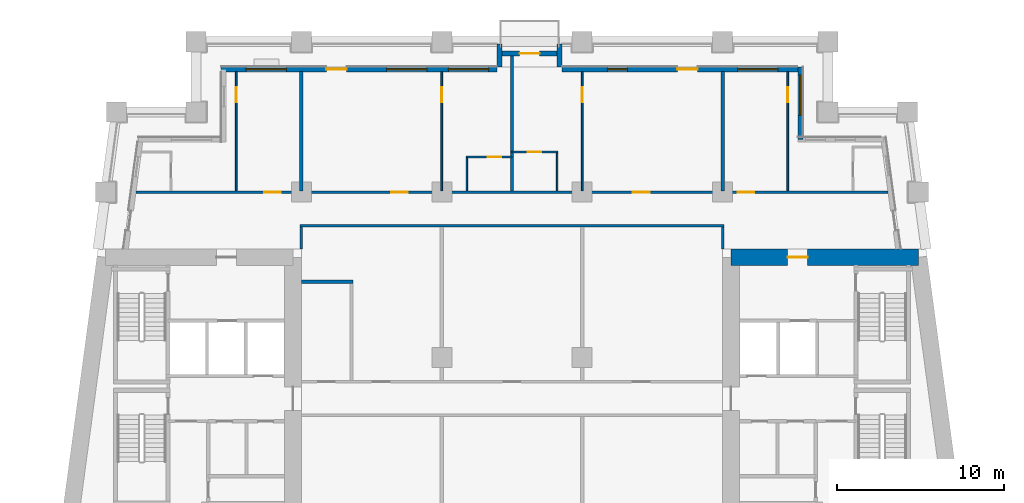
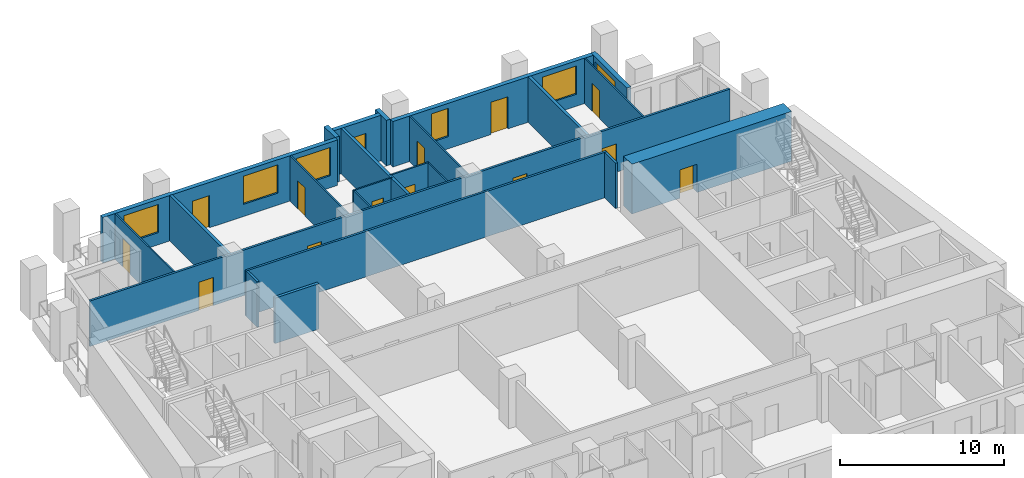
# One storey, part 7 of 13: 23 walls, 14 doors, 6 windows, 20 openings.
"""IFC4 building model written with IfcOpenShell, lengths in metres."""

from ifc_helpers import new_model, si_unit, direction, frame, frame_2d, origin, place, context, subcontext, project, spatial, rectangle, extrude, material, layer, layer_set, type_object, element, fill, save


model = new_model("IFC4")

# Units and contexts
model_context = context("Model", 3, precision=1e-05, world=origin(), true_north=direction((0.0, 1.0)))
body_context = subcontext(model_context, "Body", "Model", "MODEL_VIEW")
ifc_project = project(units=[si_unit("LENGTHUNIT", "METRE"), si_unit("AREAUNIT", "SQUARE_METRE"), si_unit("VOLUMEUNIT", "CUBIC_METRE"), si_unit("PLANEANGLEUNIT", "RADIAN"), si_unit("MASSUNIT", "GRAM", prefix="KILO")], contexts=[model_context])

# Site, building, storey
site_placement = place(None, origin())
site = spatial("IfcSite", under=ifc_project, at=site_placement, CompositionType="ELEMENT")
building_placement = place(site_placement, origin())
building = spatial("IfcBuilding", under=site, at=building_placement, Name="Candeia Pilgrim Tower and Theatre", CompositionType="ELEMENT")
storey_placement = place(building_placement, frame((0.0, 0.0, 94.699951171875)))
storey = spatial("IfcBuildingStorey", under=building, at=storey_placement, Name="L21", CompositionType="ELEMENT", Elevation=94.699951171875)

# Wall, opening, door
ifc_material_1 = material(Name="Concrete C70/85", Category="concrete")
ifc_layer_1 = layer(ifc_material_1, 1.0)
ifc_layer_set_1 = layer_set([ifc_layer_1], Name="Core wall 1000 C70/85")
wall_type_1 = type_object("IfcWallType", Name="Core wall 1000 C70/85", PredefinedType="SHEAR", material=ifc_layer_set_1)
wall_1_placement = place(storey_placement, frame((126.5, 131.89990234375, 0.0), z_axis=(0.0, 0.0, 1.0), x_axis=(1.0, 0.0, 0.0)))
wall_1 = element("IfcWall", 1, at=wall_1_placement, inside=storey, type_object=wall_type_1, Name="Core wall E1", PredefinedType="SHEAR", context=body_context, shape_type="SweptSolid", body=[
    extrude(rectangle(XDim=11.23193359375, YDim=1.0, at=frame_2d((5.615966796875, 0.0))), origin(), (0.0, 0.0, 1.0), 3.699951171875),
])
opening_1_placement = place(wall_1_placement, frame((3.386474609375, 0.0, 0.0)))
opening_1 = element("IfcOpeningElement", 2, at=opening_1_placement, cuts=wall_1, Name="Opening L21-D061", PredefinedType="OPENING", context=body_context, shape_type="SweptSolid", body=[
    extrude(rectangle(XDim=1.199951171875, YDim=2.10009765625, at=frame_2d((0.60009765625, 1.050048828125))), frame((0.0, 0.510009765625, 0.0), z_axis=(0.0, -1.0, 0.0), x_axis=(1.0, 0.0, 0.0)), (0.0, 0.0, 1.0), 1.02001953125),
])
ifc_material_2 = material(Name="Steel fire door set", Category="steel")
door_type_1 = type_object("IfcDoorType", Name="D-1200-FD60", OperationType="NOTDEFINED", PredefinedType="DOOR", material=ifc_material_2)
door_1_placement = place(opening_1_placement, origin())
door_1 = element("IfcDoor", 3, at=door_1_placement, inside=storey, type_object=door_type_1, Name="Door L21-D061", OperationType="SINGLE_SWING_RIGHT", OverallHeight=2.10009765625, OverallWidth=1.199951171875, PredefinedType="DOOR", context=body_context, shape_type="SweptSolid", body=[
    extrude(rectangle(XDim=1.199951171875, YDim=2.10009765625, at=frame_2d((0.60009765625, 1.050048828125))), frame((0.0, 0.02490234375, 0.0), z_axis=(0.0, -1.0, 0.0), x_axis=(1.0, 0.0, 0.0)), (0.0, 0.0, 1.0), 0.050048828125),
])
fill(opening_1, door_1)

# Wall, opening, window
ifc_material_3 = material(Name="Ceramic block masonry", Category="masonry")
ifc_layer_2 = layer(ifc_material_3, 0.300048828125)
ifc_layer_set_2 = layer_set([ifc_layer_2], Name="EW1 glazing-line wall 300")
wall_type_2 = type_object("IfcWallType", Name="EW1 glazing-line wall 300", PredefinedType="SOLIDWALL", material=ifc_layer_set_2)
wall_2_placement = place(storey_placement, frame((130.64990234375, 138.949951171875, 0.0), z_axis=(0.0, 0.0, 1.0), x_axis=(0.0, 1.0, 0.0)))
wall_2 = element("IfcWall", 4, at=wall_2_placement, inside=storey, type_object=wall_type_2, Name="External wall L21-5.0", PredefinedType="SOLIDWALL", context=body_context, shape_type="SweptSolid", body=[
    extrude(rectangle(XDim=4.35009765625, YDim=0.300048828125, at=frame_2d((2.175048828125, 0.0))), origin(), (0.0, 0.0, 1.0), 3.380126953125),
])
opening_2_placement = place(wall_2_placement, frame((1.449951171875, 0.0, 0.89990234375)))
opening_2 = element("IfcOpeningElement", 5, at=opening_2_placement, cuts=wall_2, Name="Opening W-A", PredefinedType="OPENING", context=body_context, shape_type="SweptSolid", body=[
    extrude(rectangle(XDim=2.39990234375, YDim=2.10009765625, at=frame_2d((1.199951171875, 1.050048828125))), frame((0.0, 0.16015625, 0.0), z_axis=(0.0, -1.0, 0.0), x_axis=(1.0, 0.0, 0.0)), (0.0, 0.0, 1.0), 0.320068359375),
])
ifc_material_4 = material(Name="Aluminium framed double glazing", Category="aluminium")
window_type_1 = type_object("IfcWindowType", Name="W-A window 2400x2100", PartitioningType="DOUBLE_PANEL_VERTICAL", PredefinedType="WINDOW", material=ifc_material_4)
window_1_placement = place(opening_2_placement, origin())
window_1 = element("IfcWindow", 6, at=window_1_placement, inside=storey, type_object=window_type_1, Name="Window W-A L21", OverallHeight=2.10009765625, OverallWidth=2.39990234375, PartitioningType="SINGLE_PANEL", PredefinedType="WINDOW", context=body_context, shape_type="SweptSolid", body=[
    extrude(rectangle(XDim=2.39990234375, YDim=2.10009765625, at=frame_2d((1.199951171875, 1.050048828125))), frame((0.0, 0.030029296875, 0.0), z_axis=(0.0, -1.0, 0.0), x_axis=(1.0, 0.0, 0.0)), (0.0, 0.0, 1.0), 0.06005859375),
])
fill(opening_2, window_1)

# Wall, openings, door, windows
wall_3_placement = place(storey_placement, frame((130.64990234375, 143.14990234375, 0.0), z_axis=(0.0, 0.0, 1.0), x_axis=(-1.0, 0.0, 0.0)))
wall_3 = element("IfcWall", 7, at=wall_3_placement, inside=storey, type_object=wall_type_2, Name="External wall L21-6.0", PredefinedType="SOLIDWALL", context=body_context, shape_type="SweptSolid", body=[
    extrude(rectangle(XDim=14.25, YDim=0.300048828125, at=frame_2d((7.125, 0.0))), origin(), (0.0, 0.0, 1.0), 3.380126953125),
])
opening_3_placement = place(wall_3_placement, frame((1.35009765625, 0.0, 0.89990234375)))
opening_3 = element("IfcOpeningElement", 8, at=opening_3_placement, cuts=wall_3, Name="Opening W-A", PredefinedType="OPENING", context=body_context, shape_type="SweptSolid", body=[
    extrude(rectangle(XDim=2.39990234375, YDim=2.10009765625, at=frame_2d((1.199951171875, 1.050048828125))), frame((0.0, 0.16015625, 0.0), z_axis=(0.0, -1.0, 0.0), x_axis=(1.0, 0.0, 0.0)), (0.0, 0.0, 1.0), 0.320068359375),
])
opening_4_placement = place(wall_3_placement, frame((6.14990234375, 0.0, 0.0)))
opening_4 = element("IfcOpeningElement", 9, at=opening_4_placement, cuts=wall_3, Name="Opening L21-ED219", PredefinedType="OPENING", context=body_context, shape_type="SweptSolid", body=[
    extrude(rectangle(XDim=1.199951171875, YDim=2.39990234375, at=frame_2d((0.60009765625, 1.199951171875))), frame((0.0, 0.16015625, 0.0), z_axis=(0.0, -1.0, 0.0), x_axis=(1.0, 0.0, 0.0)), (0.0, 0.0, 1.0), 0.320068359375),
])
opening_5_placement = place(wall_3_placement, frame((10.35009765625, 0.0, 0.89990234375)))
opening_5 = element("IfcOpeningElement", 10, at=opening_5_placement, cuts=wall_3, Name="Opening W-B", PredefinedType="OPENING", context=body_context, shape_type="SweptSolid", body=[
    extrude(rectangle(XDim=1.199951171875, YDim=2.10009765625, at=frame_2d((0.60009765625, 1.050048828125))), frame((0.0, 0.16015625, 0.0), z_axis=(0.0, -1.0, 0.0), x_axis=(1.0, 0.0, 0.0)), (0.0, 0.0, 1.0), 0.320068359375),
])
ifc_material_5 = material(Name="Aluminium framed glazed door", Category="aluminium")
door_type_2 = type_object("IfcDoorType", Name="Loggia door 1200x2400", OperationType="DOUBLE_DOOR_SINGLE_SWING", PredefinedType="DOOR", material=ifc_material_5)
door_2_placement = place(opening_4_placement, origin())
door_2 = element("IfcDoor", 11, at=door_2_placement, inside=storey, type_object=door_type_2, Name="Loggia door L21-ED219", OperationType="DOUBLE_DOOR_SINGLE_SWING", OverallHeight=2.39990234375, OverallWidth=1.199951171875, PredefinedType="DOOR", context=body_context, shape_type="SweptSolid", body=[
    extrude(rectangle(XDim=1.199951171875, YDim=2.39990234375, at=frame_2d((0.60009765625, 1.199951171875))), frame((0.0, 0.02490234375, 0.0), z_axis=(0.0, -1.0, 0.0), x_axis=(1.0, 0.0, 0.0)), (0.0, 0.0, 1.0), 0.050048828125),
])
fill(opening_4, door_2)
window_2_placement = place(opening_3_placement, origin())
window_2 = element("IfcWindow", 12, at=window_2_placement, inside=storey, type_object=window_type_1, Name="Window W-A L21", OverallHeight=2.10009765625, OverallWidth=2.39990234375, PartitioningType="SINGLE_PANEL", PredefinedType="WINDOW", context=body_context, shape_type="SweptSolid", body=[
    extrude(rectangle(XDim=2.39990234375, YDim=2.10009765625, at=frame_2d((1.199951171875, 1.050048828125))), frame((0.0, 0.030029296875, 0.0), z_axis=(0.0, -1.0, 0.0), x_axis=(1.0, 0.0, 0.0)), (0.0, 0.0, 1.0), 0.06005859375),
])
fill(opening_3, window_2)
window_type_2 = type_object("IfcWindowType", Name="W-B window 1200x2100", PartitioningType="SINGLE_PANEL", PredefinedType="WINDOW", material=ifc_material_4)
window_3_placement = place(opening_5_placement, origin())
window_3 = element("IfcWindow", 13, at=window_3_placement, inside=storey, type_object=window_type_2, Name="Window W-B L21", OverallHeight=2.10009765625, OverallWidth=1.199951171875, PartitioningType="SINGLE_PANEL", PredefinedType="WINDOW", context=body_context, shape_type="SweptSolid", body=[
    extrude(rectangle(XDim=1.199951171875, YDim=2.10009765625, at=frame_2d((0.60009765625, 1.050048828125))), frame((0.0, 0.030029296875, 0.0), z_axis=(0.0, -1.0, 0.0), x_axis=(1.0, 0.0, 0.0)), (0.0, 0.0, 1.0), 0.06005859375),
])
fill(opening_5, window_3)

wall_4_placement = place(storey_placement, frame((112.5, 143.14990234375, 0.0), z_axis=(0.0, 0.0, 1.0), x_axis=(-1.0, 0.0, 0.0)))
wall_4 = element("IfcWall", 14, at=wall_4_placement, inside=storey, type_object=wall_type_2, Name="External wall L21-6.1", PredefinedType="SOLIDWALL", context=body_context, shape_type="SweptSolid", body=[
    extrude(rectangle(XDim=16.5, YDim=0.300048828125, at=frame_2d((8.25, 0.0))), origin(), (0.0, 0.0, 1.0), 3.380126953125),
])
opening_6_placement = place(wall_4_placement, frame((0.5, 0.0, 0.89990234375)))
opening_6 = element("IfcOpeningElement", 15, at=opening_6_placement, cuts=wall_4, Name="Opening W-A", PredefinedType="OPENING", context=body_context, shape_type="SweptSolid", body=[
    extrude(rectangle(XDim=2.39990234375, YDim=2.10009765625, at=frame_2d((1.199951171875, 1.050048828125))), frame((0.0, 0.16015625, 0.0), z_axis=(0.0, -1.0, 0.0), x_axis=(1.0, 0.0, 0.0)), (0.0, 0.0, 1.0), 0.320068359375),
])
opening_7_placement = place(wall_4_placement, frame((4.199951171875, 0.0, 0.89990234375)))
opening_7 = element("IfcOpeningElement", 16, at=opening_7_placement, cuts=wall_4, Name="Opening W-A", PredefinedType="OPENING", context=body_context, shape_type="SweptSolid", body=[
    extrude(rectangle(XDim=2.39990234375, YDim=2.10009765625, at=frame_2d((1.199951171875, 1.050048828125))), frame((0.0, 0.16015625, 0.0), z_axis=(0.0, -1.0, 0.0), x_axis=(1.0, 0.0, 0.0)), (0.0, 0.0, 1.0), 0.320068359375),
])
opening_8_placement = place(wall_4_placement, frame((9.0, 0.0, 0.0)))
opening_8 = element("IfcOpeningElement", 17, at=opening_8_placement, cuts=wall_4, Name="Opening L21-ED220", PredefinedType="OPENING", context=body_context, shape_type="SweptSolid", body=[
    extrude(rectangle(XDim=1.199951171875, YDim=2.39990234375, at=frame_2d((0.60009765625, 1.199951171875))), frame((0.0, 0.16015625, 0.0), z_axis=(0.0, -1.0, 0.0), x_axis=(1.0, 0.0, 0.0)), (0.0, 0.0, 1.0), 0.320068359375),
])
opening_9_placement = place(wall_4_placement, frame((12.60009765625, 0.0, 0.89990234375)))
opening_9 = element("IfcOpeningElement", 18, at=opening_9_placement, cuts=wall_4, Name="Opening W-A", PredefinedType="OPENING", context=body_context, shape_type="SweptSolid", body=[
    extrude(rectangle(XDim=2.39990234375, YDim=2.10009765625, at=frame_2d((1.199951171875, 1.050048828125))), frame((0.0, 0.16015625, 0.0), z_axis=(0.0, -1.0, 0.0), x_axis=(1.0, 0.0, 0.0)), (0.0, 0.0, 1.0), 0.320068359375),
])
door_3_placement = place(opening_8_placement, origin())
door_3 = element("IfcDoor", 19, at=door_3_placement, inside=storey, type_object=door_type_2, Name="Loggia door L21-ED220", OperationType="DOUBLE_DOOR_SINGLE_SWING", OverallHeight=2.39990234375, OverallWidth=1.199951171875, PredefinedType="DOOR", context=body_context, shape_type="SweptSolid", body=[
    extrude(rectangle(XDim=1.199951171875, YDim=2.39990234375, at=frame_2d((0.60009765625, 1.199951171875))), frame((0.0, 0.02490234375, 0.0), z_axis=(0.0, -1.0, 0.0), x_axis=(1.0, 0.0, 0.0)), (0.0, 0.0, 1.0), 0.050048828125),
])
fill(opening_8, door_3)
window_4_placement = place(opening_6_placement, origin())
window_4 = element("IfcWindow", 20, at=window_4_placement, inside=storey, type_object=window_type_1, Name="Window W-A L21", OverallHeight=2.10009765625, OverallWidth=2.39990234375, PartitioningType="SINGLE_PANEL", PredefinedType="WINDOW", context=body_context, shape_type="SweptSolid", body=[
    extrude(rectangle(XDim=2.39990234375, YDim=2.10009765625, at=frame_2d((1.199951171875, 1.050048828125))), frame((0.0, 0.030029296875, 0.0), z_axis=(0.0, -1.0, 0.0), x_axis=(1.0, 0.0, 0.0)), (0.0, 0.0, 1.0), 0.06005859375),
])
fill(opening_6, window_4)
window_5_placement = place(opening_7_placement, origin())
window_5 = element("IfcWindow", 21, at=window_5_placement, inside=storey, type_object=window_type_1, Name="Window W-A L21", OverallHeight=2.10009765625, OverallWidth=2.39990234375, PartitioningType="SINGLE_PANEL", PredefinedType="WINDOW", context=body_context, shape_type="SweptSolid", body=[
    extrude(rectangle(XDim=2.39990234375, YDim=2.10009765625, at=frame_2d((1.199951171875, 1.050048828125))), frame((0.0, 0.030029296875, 0.0), z_axis=(0.0, -1.0, 0.0), x_axis=(1.0, 0.0, 0.0)), (0.0, 0.0, 1.0), 0.06005859375),
])
fill(opening_7, window_5)
window_6_placement = place(opening_9_placement, origin())
window_6 = element("IfcWindow", 22, at=window_6_placement, inside=storey, type_object=window_type_1, Name="Window W-A L21", OverallHeight=2.10009765625, OverallWidth=2.39990234375, PartitioningType="SINGLE_PANEL", PredefinedType="WINDOW", context=body_context, shape_type="SweptSolid", body=[
    extrude(rectangle(XDim=2.39990234375, YDim=2.10009765625, at=frame_2d((1.199951171875, 1.050048828125))), frame((0.0, 0.030029296875, 0.0), z_axis=(0.0, -1.0, 0.0), x_axis=(1.0, 0.0, 0.0)), (0.0, 0.0, 1.0), 0.06005859375),
])
fill(opening_9, window_6)

# Walls
ifc_layer_3 = layer(ifc_material_3, 0.300048828125)
ifc_layer_set_3 = layer_set([ifc_layer_3], Name="EW2 entrance infill wall 300")
wall_type_3 = type_object("IfcWallType", Name="EW2 entrance infill wall 300", PredefinedType="SOLIDWALL", material=ifc_layer_set_3)
for number, where, z_axis, x_axis, name in (
    (23, (116.25, 143.300048828125, 0.0), (0.0, 0.0, 1.0), (0.0, 1.0, 0.0), "Alcove wall L21"),
    (24, (112.64990234375, 143.300048828125, 0.0), (0.0, 0.0, 1.0), (0.0, 1.0, 0.0), "Alcove wall L21"),
):
    element("IfcWall", number, at=place(storey_placement, frame(where, z_axis=z_axis, x_axis=x_axis)), inside=storey, type_object=wall_type_3, Name=name, PredefinedType="SOLIDWALL", context=body_context, shape_type="SweptSolid", body=[
        extrude(rectangle(XDim=1.349853515625, YDim=0.300048828125, at=frame_2d((0.6748046875, 0.0))), origin(), (0.0, 0.0, 1.0), 3.380126953125),
    ])

# Wall, opening, door
wall_5_placement = place(storey_placement, frame((116.39990234375, 144.10009765625, 0.0), z_axis=(0.0, 0.0, 1.0), x_axis=(-1.0, 0.0, 0.0)))
wall_5 = element("IfcWall", 25, at=wall_5_placement, inside=storey, type_object=wall_type_3, Name="Alcove wall L21", PredefinedType="SOLIDWALL", context=body_context, shape_type="SweptSolid", body=[
    extrude(rectangle(XDim=3.89990234375, YDim=0.300048828125, at=frame_2d((1.949951171875, 0.0))), origin(), (0.0, 0.0, 1.0), 3.380126953125),
])
opening_10_placement = place(wall_5_placement, frame((1.35009765625, 0.0, 0.0)))
opening_10 = element("IfcOpeningElement", 26, at=opening_10_placement, cuts=wall_5, Name="Opening L21-ED221", PredefinedType="OPENING", context=body_context, shape_type="SweptSolid", body=[
    extrude(rectangle(XDim=1.199951171875, YDim=2.39990234375, at=frame_2d((0.60009765625, 1.199951171875))), frame((0.0, 0.16015625, 0.0), z_axis=(0.0, -1.0, 0.0), x_axis=(1.0, 0.0, 0.0)), (0.0, 0.0, 1.0), 0.320068359375),
])
door_4_placement = place(opening_10_placement, origin())
door_4 = element("IfcDoor", 27, at=door_4_placement, inside=storey, type_object=door_type_2, Name="Balcony door L21-ED221", OperationType="DOUBLE_DOOR_SINGLE_SWING", OverallHeight=2.39990234375, OverallWidth=1.199951171875, PredefinedType="DOOR", context=body_context, shape_type="SweptSolid", body=[
    extrude(rectangle(XDim=1.199951171875, YDim=2.39990234375, at=frame_2d((0.60009765625, 1.199951171875))), frame((0.0, 0.02490234375, 0.0), z_axis=(0.0, -1.0, 0.0), x_axis=(1.0, 0.0, 0.0)), (0.0, 0.0, 1.0), 0.050048828125),
])
fill(opening_10, door_4)

ifc_material_6 = material(Name="Gypsum board partition on steel studs", Category="steel")
ifc_layer_4 = layer(ifc_material_6, 0.10009765625)
ifc_layer_set_4 = layer_set([ifc_layer_4], Name="PW-100 room partition")
wall_type_4 = type_object("IfcWallType", Name="PW-100 room partition", PredefinedType="PARTITIONING", material=ifc_layer_set_4)
wall_6_placement = place(storey_placement, frame((110.64990234375, 137.89990234375, 0.0), z_axis=(0.0, 0.0, 1.0), x_axis=(1.0, 0.0, 0.0)))
wall_6 = element("IfcWall", 28, at=wall_6_placement, inside=storey, type_object=wall_type_4, Name="Room partition L21-045", PredefinedType="PARTITIONING", context=body_context, shape_type="SweptSolid", body=[
    extrude(rectangle(XDim=2.75, YDim=0.10009765625, at=frame_2d((1.375, 0.0))), origin(), (0.0, 0.0, 1.0), 3.380126953125),
])
opening_11_placement = place(wall_6_placement, frame((1.300048828125, 0.0, 0.0)))
opening_11 = element("IfcOpeningElement", 29, at=opening_11_placement, cuts=wall_6, Name="Opening L21-D043", PredefinedType="OPENING", context=body_context, shape_type="SweptSolid", body=[
    extrude(rectangle(XDim=0.800048828125, YDim=2.10009765625, at=frame_2d((0.39990234375, 1.050048828125))), frame((0.0, 0.06005859375, 0.0), z_axis=(0.0, -1.0, 0.0), x_axis=(1.0, 0.0, 0.0)), (0.0, 0.0, 1.0), 0.1201171875),
])
ifc_material_7 = material(Name="Timber door leaf", Category="wood")
door_type_3 = type_object("IfcDoorType", Name="D-800", OperationType="NOTDEFINED", PredefinedType="DOOR", material=ifc_material_7)
door_5_placement = place(opening_11_placement, origin())
door_5 = element("IfcDoor", 30, at=door_5_placement, inside=storey, type_object=door_type_3, Name="Door L21-D043", OperationType="SINGLE_SWING_RIGHT", OverallHeight=2.10009765625, OverallWidth=0.800048828125, PredefinedType="DOOR", context=body_context, shape_type="SweptSolid", body=[
    extrude(rectangle(XDim=0.800048828125, YDim=2.10009765625, at=frame_2d((0.39990234375, 1.050048828125))), frame((0.0, 0.02490234375, 0.0), z_axis=(0.0, -1.0, 0.0), x_axis=(1.0, 0.0, 0.0)), (0.0, 0.0, 1.0), 0.050048828125),
])
fill(opening_11, door_5)

wall_7_placement = place(storey_placement, frame((113.39990234375, 138.199951171875, 0.0), z_axis=(0.0, 0.0, 1.0), x_axis=(1.0, 0.0, 0.0)))
wall_7 = element("IfcWall", 31, at=wall_7_placement, inside=storey, type_object=wall_type_4, Name="Room partition L21-047", PredefinedType="PARTITIONING", context=body_context, shape_type="SweptSolid", body=[
    extrude(rectangle(XDim=2.75, YDim=0.10009765625, at=frame_2d((1.375, 0.0))), origin(), (0.0, 0.0, 1.0), 3.380126953125),
])
opening_12_placement = place(wall_7_placement, frame((0.949951171875, 0.0, 0.0)))
opening_12 = element("IfcOpeningElement", 32, at=opening_12_placement, cuts=wall_7, Name="Opening L21-D046", PredefinedType="OPENING", context=body_context, shape_type="SweptSolid", body=[
    extrude(rectangle(XDim=0.800048828125, YDim=2.10009765625, at=frame_2d((0.39990234375, 1.050048828125))), frame((0.0, 0.06005859375, 0.0), z_axis=(0.0, -1.0, 0.0), x_axis=(1.0, 0.0, 0.0)), (0.0, 0.0, 1.0), 0.1201171875),
])
door_6_placement = place(opening_12_placement, origin())
door_6 = element("IfcDoor", 33, at=door_6_placement, inside=storey, type_object=door_type_3, Name="Door L21-D046", OperationType="SINGLE_SWING_LEFT", OverallHeight=2.10009765625, OverallWidth=0.800048828125, PredefinedType="DOOR", context=body_context, shape_type="SweptSolid", body=[
    extrude(rectangle(XDim=0.800048828125, YDim=2.10009765625, at=frame_2d((0.39990234375, 1.050048828125))), frame((0.0, 0.02490234375, 0.0), z_axis=(0.0, -1.0, 0.0), x_axis=(1.0, 0.0, 0.0)), (0.0, 0.0, 1.0), 0.050048828125),
])
fill(opening_12, door_6)

wall_8_placement = place(storey_placement, frame((96.89990234375, 135.875, 0.0), z_axis=(0.0, 0.0, 1.0), x_axis=(0.0, 1.0, 0.0)))
wall_8 = element("IfcWall", 34, at=wall_8_placement, inside=storey, type_object=wall_type_4, Name="Room partition L21-067", PredefinedType="PARTITIONING", context=body_context, shape_type="SweptSolid", body=[
    extrude(rectangle(XDim=7.135009765625, YDim=0.10009765625, at=frame_2d((3.5673828125, 0.0))), origin(), (0.0, 0.0, 1.0), 3.380126953125),
])
opening_13_placement = place(wall_8_placement, frame((5.2900390625, 0.0, 0.0)))
opening_13 = element("IfcOpeningElement", 35, at=opening_13_placement, cuts=wall_8, Name="Opening L21-D039", PredefinedType="OPENING", context=body_context, shape_type="SweptSolid", body=[
    extrude(rectangle(XDim=0.89990234375, YDim=2.10009765625, at=frame_2d((0.449951171875, 1.050048828125))), frame((0.0, 0.06005859375, 0.0), z_axis=(0.0, -1.0, 0.0), x_axis=(1.0, 0.0, 0.0)), (0.0, 0.0, 1.0), 0.1201171875),
])
door_type_4 = type_object("IfcDoorType", Name="D-900", OperationType="NOTDEFINED", PredefinedType="DOOR", material=ifc_material_7)
door_7_placement = place(opening_13_placement, origin())
door_7 = element("IfcDoor", 36, at=door_7_placement, inside=storey, type_object=door_type_4, Name="Door L21-D039", OperationType="SINGLE_SWING_RIGHT", OverallHeight=2.10009765625, OverallWidth=0.89990234375, PredefinedType="DOOR", context=body_context, shape_type="SweptSolid", body=[
    extrude(rectangle(XDim=0.89990234375, YDim=2.10009765625, at=frame_2d((0.449951171875, 1.050048828125))), frame((0.0, 0.02490234375, 0.0), z_axis=(0.0, -1.0, 0.0), x_axis=(1.0, 0.0, 0.0)), (0.0, 0.0, 1.0), 0.050048828125),
])
fill(opening_13, door_7)

wall_9_placement = place(storey_placement, frame((109.199951171875, 135.875, 0.0), z_axis=(0.0, 0.0, 1.0), x_axis=(0.0, 1.0, 0.0)))
wall_9 = element("IfcWall", 37, at=wall_9_placement, inside=storey, type_object=wall_type_4, Name="Room partition L21-080", PredefinedType="PARTITIONING", context=body_context, shape_type="SweptSolid", body=[
    extrude(rectangle(XDim=7.135009765625, YDim=0.10009765625, at=frame_2d((3.5673828125, 0.0))), origin(), (0.0, 0.0, 1.0), 3.380126953125),
])
opening_14_placement = place(wall_9_placement, frame((5.2900390625, 0.0, 0.0)))
opening_14 = element("IfcOpeningElement", 38, at=opening_14_placement, cuts=wall_9, Name="Opening L21-D042", PredefinedType="OPENING", context=body_context, shape_type="SweptSolid", body=[
    extrude(rectangle(XDim=0.89990234375, YDim=2.10009765625, at=frame_2d((0.449951171875, 1.050048828125))), frame((0.0, 0.06005859375, 0.0), z_axis=(0.0, -1.0, 0.0), x_axis=(1.0, 0.0, 0.0)), (0.0, 0.0, 1.0), 0.1201171875),
])
door_8_placement = place(opening_14_placement, origin())
door_8 = element("IfcDoor", 39, at=door_8_placement, inside=storey, type_object=door_type_4, Name="Door L21-D042", OperationType="SINGLE_SWING_LEFT", OverallHeight=2.10009765625, OverallWidth=0.89990234375, PredefinedType="DOOR", context=body_context, shape_type="SweptSolid", body=[
    extrude(rectangle(XDim=0.89990234375, YDim=2.10009765625, at=frame_2d((0.449951171875, 1.050048828125))), frame((0.0, 0.02490234375, 0.0), z_axis=(0.0, -1.0, 0.0), x_axis=(1.0, 0.0, 0.0)), (0.0, 0.0, 1.0), 0.050048828125),
])
fill(opening_14, door_8)

# Walls
wall_10_placement = place(storey_placement, frame((110.699951171875, 135.875, 0.0), z_axis=(0.0, 0.0, 1.0), x_axis=(0.0, 1.0, 0.0)))
element("IfcWall", 40, at=wall_10_placement, inside=storey, type_object=wall_type_4, Name="Room partition L21-084", PredefinedType="PARTITIONING", context=body_context, shape_type="SweptSolid", body=[
    extrude(rectangle(XDim=1.97509765625, YDim=0.10009765625, at=frame_2d((0.987548828125, 0.0))), origin(), (0.0, 0.0, 1.0), 3.380126953125),
])
wall_11_placement = place(storey_placement, frame((116.10009765625, 135.875, 0.0), z_axis=(0.0, 0.0, 1.0), x_axis=(0.0, 1.0, 0.0)))
element("IfcWall", 41, at=wall_11_placement, inside=storey, type_object=wall_type_4, Name="Room partition L21-089", PredefinedType="PARTITIONING", context=body_context, shape_type="SweptSolid", body=[
    extrude(rectangle(XDim=2.27490234375, YDim=0.10009765625, at=frame_2d((1.137451171875, 0.0))), origin(), (0.0, 0.0, 1.0), 3.380126953125),
])

# Wall, opening, door
wall_12_placement = place(storey_placement, frame((117.60009765625, 135.875, 0.0), z_axis=(0.0, 0.0, 1.0), x_axis=(0.0, 1.0, 0.0)))
wall_12 = element("IfcWall", 42, at=wall_12_placement, inside=storey, type_object=wall_type_4, Name="Room partition L21-090", PredefinedType="PARTITIONING", context=body_context, shape_type="SweptSolid", body=[
    extrude(rectangle(XDim=7.135009765625, YDim=0.10009765625, at=frame_2d((3.5673828125, 0.0))), origin(), (0.0, 0.0, 1.0), 3.380126953125),
])
opening_15_placement = place(wall_12_placement, frame((5.2900390625, 0.0, 0.0)))
opening_15 = element("IfcOpeningElement", 43, at=opening_15_placement, cuts=wall_12, Name="Opening L21-D045", PredefinedType="OPENING", context=body_context, shape_type="SweptSolid", body=[
    extrude(rectangle(XDim=0.89990234375, YDim=2.10009765625, at=frame_2d((0.449951171875, 1.050048828125))), frame((0.0, 0.06005859375, 0.0), z_axis=(0.0, -1.0, 0.0), x_axis=(1.0, 0.0, 0.0)), (0.0, 0.0, 1.0), 0.1201171875),
])
door_9_placement = place(opening_15_placement, origin())
door_9 = element("IfcDoor", 44, at=door_9_placement, inside=storey, type_object=door_type_4, Name="Door L21-D045", OperationType="SINGLE_SWING_RIGHT", OverallHeight=2.10009765625, OverallWidth=0.89990234375, PredefinedType="DOOR", context=body_context, shape_type="SweptSolid", body=[
    extrude(rectangle(XDim=0.89990234375, YDim=2.10009765625, at=frame_2d((0.449951171875, 1.050048828125))), frame((0.0, 0.02490234375, 0.0), z_axis=(0.0, -1.0, 0.0), x_axis=(1.0, 0.0, 0.0)), (0.0, 0.0, 1.0), 0.050048828125),
])
fill(opening_15, door_9)

wall_13_placement = place(storey_placement, frame((129.89990234375, 135.875, 0.0), z_axis=(0.0, 0.0, 1.0), x_axis=(0.0, 1.0, 0.0)))
wall_13 = element("IfcWall", 45, at=wall_13_placement, inside=storey, type_object=wall_type_4, Name="Room partition L21-103", PredefinedType="PARTITIONING", context=body_context, shape_type="SweptSolid", body=[
    extrude(rectangle(XDim=7.135009765625, YDim=0.10009765625, at=frame_2d((3.5673828125, 0.0))), origin(), (0.0, 0.0, 1.0), 3.380126953125),
])
opening_16_placement = place(wall_13_placement, frame((5.2900390625, 0.0, 0.0)))
opening_16 = element("IfcOpeningElement", 46, at=opening_16_placement, cuts=wall_13, Name="Opening L21-D048", PredefinedType="OPENING", context=body_context, shape_type="SweptSolid", body=[
    extrude(rectangle(XDim=0.89990234375, YDim=2.10009765625, at=frame_2d((0.449951171875, 1.050048828125))), frame((0.0, 0.06005859375, 0.0), z_axis=(0.0, -1.0, 0.0), x_axis=(1.0, 0.0, 0.0)), (0.0, 0.0, 1.0), 0.1201171875),
])
door_10_placement = place(opening_16_placement, origin())
door_10 = element("IfcDoor", 47, at=door_10_placement, inside=storey, type_object=door_type_4, Name="Door L21-D048", OperationType="SINGLE_SWING_LEFT", OverallHeight=2.10009765625, OverallWidth=0.89990234375, PredefinedType="DOOR", context=body_context, shape_type="SweptSolid", body=[
    extrude(rectangle(XDim=0.89990234375, YDim=2.10009765625, at=frame_2d((0.449951171875, 1.050048828125))), frame((0.0, 0.02490234375, 0.0), z_axis=(0.0, -1.0, 0.0), x_axis=(1.0, 0.0, 0.0)), (0.0, 0.0, 1.0), 0.050048828125),
])
fill(opening_16, door_10)

# Wall
ifc_layer_5 = layer(ifc_material_6, 0.14990234375)
ifc_layer_set_5 = layer_set([ifc_layer_5], Name="PW-150 unit wall")
wall_type_5 = type_object("IfcWallType", Name="PW-150 unit wall", PredefinedType="PARTITIONING", material=ifc_layer_set_5)
wall_14_placement = place(storey_placement, frame((100.72509765625, 133.800048828125, 0.0), z_axis=(0.0, 0.0, 1.0), x_axis=(1.0, 0.0, 0.0)))
element("IfcWall", 48, at=wall_14_placement, inside=storey, type_object=wall_type_5, Name="Unit wall L21-043", PredefinedType="PARTITIONING", context=body_context, shape_type="SweptSolid", body=[
    extrude(rectangle(XDim=25.349853515625, YDim=0.14990234375, at=frame_2d((12.6748046875, 0.0))), origin(), (0.0, 0.0, 1.0), 3.380126953125),
])

# Wall, openings, doors
wall_15_placement = place(storey_placement, frame((90.89453125, 135.800048828125, 0.0), z_axis=(0.0, 0.0, 1.0), x_axis=(1.0, 0.0, 0.0)))
wall_15 = element("IfcWall", 49, at=wall_15_placement, inside=storey, type_object=wall_type_5, Name="Unit wall L21-044", PredefinedType="PARTITIONING", context=body_context, shape_type="SweptSolid", body=[
    extrude(rectangle(XDim=45.010986328125, YDim=0.14990234375, at=frame_2d((22.50537109375, 0.0))), origin(), (0.0, 0.0, 1.0), 3.380126953125),
])
opening_17_placement = place(wall_15_placement, frame((7.67529296875, 0.0, 0.0)))
opening_17 = element("IfcOpeningElement", 50, at=opening_17_placement, cuts=wall_15, Name="Opening L21-D038", PredefinedType="OPENING", context=body_context, shape_type="SweptSolid", body=[
    extrude(rectangle(XDim=1.0, YDim=2.10009765625, at=frame_2d((0.5, 1.050048828125))), frame((0.0, 0.0849609375, 0.0), z_axis=(0.0, -1.0, 0.0), x_axis=(1.0, 0.0, 0.0)), (0.0, 0.0, 1.0), 0.169921875),
])
opening_18_placement = place(wall_15_placement, frame((15.280517578125, 0.0, 0.0)))
opening_18 = element("IfcOpeningElement", 51, at=opening_18_placement, cuts=wall_15, Name="Opening L21-D041", PredefinedType="OPENING", context=body_context, shape_type="SweptSolid", body=[
    extrude(rectangle(XDim=1.0, YDim=2.10009765625, at=frame_2d((0.5, 1.050048828125))), frame((0.0, 0.0849609375, 0.0), z_axis=(0.0, -1.0, 0.0), x_axis=(1.0, 0.0, 0.0)), (0.0, 0.0, 1.0), 0.169921875),
])
opening_19_placement = place(wall_15_placement, frame((29.7353515625, 0.0, 0.0)))
opening_19 = element("IfcOpeningElement", 52, at=opening_19_placement, cuts=wall_15, Name="Opening L21-D044", PredefinedType="OPENING", context=body_context, shape_type="SweptSolid", body=[
    extrude(rectangle(XDim=1.0, YDim=2.10009765625, at=frame_2d((0.5, 1.050048828125))), frame((0.0, 0.0849609375, 0.0), z_axis=(0.0, -1.0, 0.0), x_axis=(1.0, 0.0, 0.0)), (0.0, 0.0, 1.0), 0.169921875),
])
opening_20_placement = place(wall_15_placement, frame((36.00537109375, 0.0, 0.0)))
opening_20 = element("IfcOpeningElement", 53, at=opening_20_placement, cuts=wall_15, Name="Opening L21-D047", PredefinedType="OPENING", context=body_context, shape_type="SweptSolid", body=[
    extrude(rectangle(XDim=1.0, YDim=2.10009765625, at=frame_2d((0.5, 1.050048828125))), frame((0.0, 0.0849609375, 0.0), z_axis=(0.0, -1.0, 0.0), x_axis=(1.0, 0.0, 0.0)), (0.0, 0.0, 1.0), 0.169921875),
])
door_type_5 = type_object("IfcDoorType", Name="D-1000-FD30S", OperationType="NOTDEFINED", PredefinedType="DOOR", material=ifc_material_2)
door_11_placement = place(opening_17_placement, origin())
door_11 = element("IfcDoor", 54, at=door_11_placement, inside=storey, type_object=door_type_5, Name="Door L21-D038", OperationType="SINGLE_SWING_LEFT", OverallHeight=2.10009765625, OverallWidth=1.0, PredefinedType="DOOR", context=body_context, shape_type="SweptSolid", body=[
    extrude(rectangle(XDim=1.0, YDim=2.10009765625, at=frame_2d((0.5, 1.050048828125))), frame((0.0, 0.02490234375, 0.0), z_axis=(0.0, -1.0, 0.0), x_axis=(1.0, 0.0, 0.0)), (0.0, 0.0, 1.0), 0.050048828125),
])
fill(opening_17, door_11)
door_12_placement = place(opening_18_placement, origin())
door_12 = element("IfcDoor", 55, at=door_12_placement, inside=storey, type_object=door_type_5, Name="Door L21-D041", OperationType="SINGLE_SWING_RIGHT", OverallHeight=2.10009765625, OverallWidth=1.0, PredefinedType="DOOR", context=body_context, shape_type="SweptSolid", body=[
    extrude(rectangle(XDim=1.0, YDim=2.10009765625, at=frame_2d((0.5, 1.050048828125))), frame((0.0, 0.02490234375, 0.0), z_axis=(0.0, -1.0, 0.0), x_axis=(1.0, 0.0, 0.0)), (0.0, 0.0, 1.0), 0.050048828125),
])
fill(opening_18, door_12)
door_13_placement = place(opening_19_placement, origin())
door_13 = element("IfcDoor", 56, at=door_13_placement, inside=storey, type_object=door_type_5, Name="Door L21-D044", OperationType="SINGLE_SWING_LEFT", OverallHeight=2.10009765625, OverallWidth=1.0, PredefinedType="DOOR", context=body_context, shape_type="SweptSolid", body=[
    extrude(rectangle(XDim=1.0, YDim=2.10009765625, at=frame_2d((0.5, 1.050048828125))), frame((0.0, 0.02490234375, 0.0), z_axis=(0.0, -1.0, 0.0), x_axis=(1.0, 0.0, 0.0)), (0.0, 0.0, 1.0), 0.050048828125),
])
fill(opening_19, door_13)
door_14_placement = place(opening_20_placement, origin())
door_14 = element("IfcDoor", 57, at=door_14_placement, inside=storey, type_object=door_type_5, Name="Door L21-D047", OperationType="SINGLE_SWING_RIGHT", OverallHeight=2.10009765625, OverallWidth=1.0, PredefinedType="DOOR", context=body_context, shape_type="SweptSolid", body=[
    extrude(rectangle(XDim=1.0, YDim=2.10009765625, at=frame_2d((0.5, 1.050048828125))), frame((0.0, 0.02490234375, 0.0), z_axis=(0.0, -1.0, 0.0), x_axis=(1.0, 0.0, 0.0)), (0.0, 0.0, 1.0), 0.050048828125),
])
fill(opening_20, door_14)

# Walls
for number, where, z_axis, x_axis, name in (
    (58, (100.800048828125, 132.39990234375, 0.0), (0.0, 0.0, 1.0), (0.0, 1.0, 0.0), "Unit wall L21-075"),
    (59, (126.0, 132.39990234375, 0.0), (0.0, 0.0, 1.0), (0.0, 1.0, 0.0), "Unit wall L21-098"),
):
    element("IfcWall", number, at=place(storey_placement, frame(where, z_axis=z_axis, x_axis=x_axis)), inside=storey, type_object=wall_type_5, Name=name, PredefinedType="PARTITIONING", context=body_context, shape_type="SweptSolid", body=[
        extrude(rectangle(XDim=1.3251953125, YDim=0.14990234375, at=frame_2d((0.66259765625, 0.0))), origin(), (0.0, 0.0, 1.0), 3.380126953125),
    ])
ifc_layer_6 = layer(ifc_material_6, 0.199951171875)
ifc_layer_set_6 = layer_set([ifc_layer_6], Name="PW-200 party wall")
wall_type_6 = type_object("IfcWallType", Name="PW-200 party wall", PredefinedType="PARTITIONING", material=ifc_layer_set_6)
wall_16_placement = place(storey_placement, frame((100.800048828125, 130.449951171875, 0.0), z_axis=(0.0, 0.0, 1.0), x_axis=(1.0, 0.0, 0.0)))
element("IfcWall", 60, at=wall_16_placement, inside=storey, type_object=wall_type_6, Name="Party wall L21-040", PredefinedType="PARTITIONING", context=body_context, shape_type="SweptSolid", body=[
    extrude(rectangle(XDim=3.099853515625, YDim=0.199951171875, at=frame_2d((1.5498046875, 0.0))), origin(), (0.0, 0.0, 1.0), 3.380126953125),
])
wall_17_placement = place(storey_placement, frame((100.800048828125, 135.875, 0.0), z_axis=(0.0, 0.0, 1.0), x_axis=(0.0, 1.0, 0.0)))
element("IfcWall", 61, at=wall_17_placement, inside=storey, type_object=wall_type_6, Name="Party wall L21-073", PredefinedType="PARTITIONING", context=body_context, shape_type="SweptSolid", body=[
    extrude(rectangle(XDim=7.135009765625, YDim=0.199951171875, at=frame_2d((3.5673828125, 0.0))), origin(), (0.0, 0.0, 1.0), 3.380126953125),
])
wall_18_placement = place(storey_placement, frame((113.39990234375, 135.875, 0.0), z_axis=(0.0, 0.0, 1.0), x_axis=(0.0, 1.0, 0.0)))
element("IfcWall", 62, at=wall_18_placement, inside=storey, type_object=wall_type_6, Name="Party wall L21-087", PredefinedType="PARTITIONING", context=body_context, shape_type="SweptSolid", body=[
    extrude(rectangle(XDim=8.0849609375, YDim=0.199951171875, at=frame_2d((4.04248046875, 0.0))), origin(), (0.0, 0.0, 1.0), 3.380126953125),
])
wall_19_placement = place(storey_placement, frame((126.0, 135.875, 0.0), z_axis=(0.0, 0.0, 1.0), x_axis=(0.0, 1.0, 0.0)))
element("IfcWall", 63, at=wall_19_placement, inside=storey, type_object=wall_type_6, Name="Party wall L21-096", PredefinedType="PARTITIONING", context=body_context, shape_type="SweptSolid", body=[
    extrude(rectangle(XDim=7.135009765625, YDim=0.199951171875, at=frame_2d((3.5673828125, 0.0))), origin(), (0.0, 0.0, 1.0), 3.380126953125),
])

save(model, "model.ifc")
